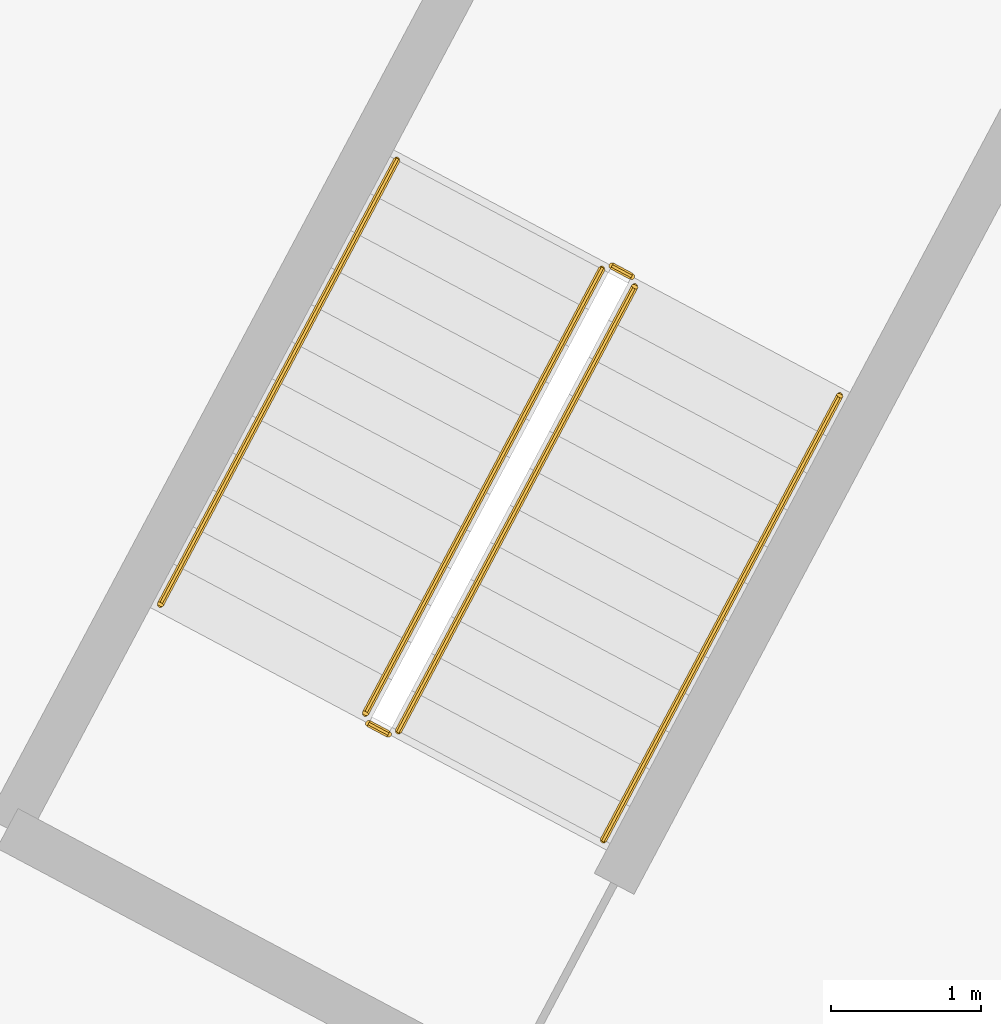
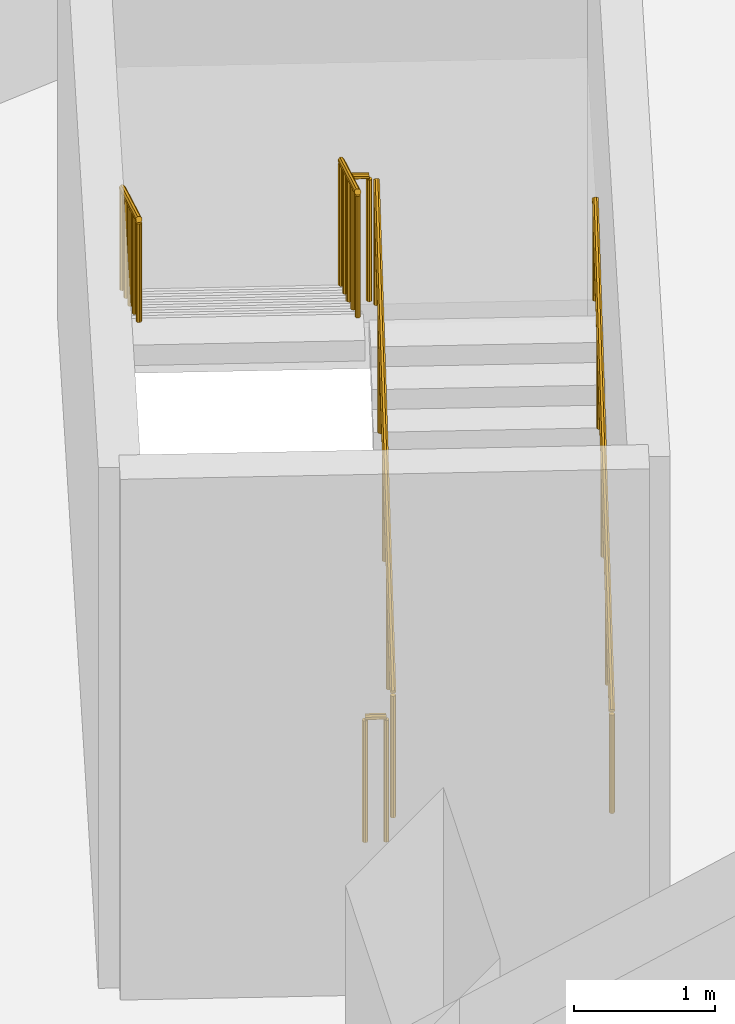
# One storey, part 24 of 27: 6 railings.
"""IFC4 building model written with IfcOpenShell, lengths in metres."""

from ifc_helpers import new_model, si_unit, direction, frame, origin, place, context, subcontext, project, spatial, polyline, outline, extrude, material, type_object, element, save


model = new_model("IFC4")

# Units and contexts
model_context = context("Model", 3, precision=1e-05, world=origin(), true_north=direction((0.0, 1.0)))
body_context = subcontext(model_context, "Body", "Model", "MODEL_VIEW")
ifc_project = project(units=[si_unit("LENGTHUNIT", "METRE"), si_unit("AREAUNIT", "SQUARE_METRE"), si_unit("VOLUMEUNIT", "CUBIC_METRE"), si_unit("PLANEANGLEUNIT", "RADIAN"), si_unit("MASSUNIT", "GRAM", prefix="KILO")], contexts=[model_context])

# Site, building, storey
site_placement = place(None, origin())
site = spatial("IfcSite", under=ifc_project, at=site_placement, CompositionType="ELEMENT")
building_placement = place(site_placement, origin())
building = spatial("IfcBuilding", under=site, at=building_placement, Name="Cormorant Relay Tower", CompositionType="ELEMENT")
storey_placement = place(building_placement, frame((0.0, 0.0, -4.5)))
storey = spatial("IfcBuildingStorey", under=building, at=storey_placement, Name="B1", CompositionType="ELEMENT", Elevation=-4.5)

# Railings
ifc_material_1 = material(Name="Steel ASTM A572 Grade 50 (Fy 345 MPa)", Category="steel")
railing_type_1 = type_object("IfcRailingType", Name="Stair guard 1100", PredefinedType="GUARDRAIL", material=ifc_material_1)
railing_1_placement = place(storey_placement, frame((-32.992919921875, 45.866455078125, 0.173095703125)))
element("IfcRailing", 1, at=railing_1_placement, inside=storey, type_object=railing_type_1, Name="B1 RN2 stair guard 1", PredefinedType="GUARDRAIL", context=body_context, shape_type="SweptSolid", body=[
    extrude(outline(polyline([(0.022216796875, 0.00927734375), (0.00927734375, 0.022216796875), (-0.00927734375, 0.022216796875), (-0.022216796875, 0.00927734375), (-0.022216796875, -0.00927734375), (-0.00927734375, -0.022216796875), (0.00927734375, -0.022216796875), (0.022216796875, -0.00927734375), (0.022216796875, 0.00927734375)])), frame((0.0, 0.0, 1.076171875), z_axis=(0.399344577991, 0.75103481925, 0.525804724497), x_axis=(-0.88294160794, 0.469482818608, 0.0)), (0.0, 0.0, 1.0), 3.949951171875),
    extrude(outline(polyline([(0.019287109375, 0.008056640625), (0.008056640625, 0.019287109375), (-0.008056640625, 0.019287109375), (-0.019287109375, 0.008056640625), (-0.019287109375, -0.008056640625), (-0.008056640625, -0.019287109375), (0.008056640625, -0.019287109375), (0.019287109375, -0.008056640625), (0.019287109375, 0.008056640625)])), origin(), (0.0, 0.0, 1.0), 1.052001953125),
    extrude(outline(polyline([(0.019287109375, 0.008056640625), (0.008056640625, 0.019287109375), (-0.008056640625, 0.019287109375), (-0.019287109375, 0.008056640625), (-0.019287109375, -0.008056640625), (-0.008056640625, -0.019287109375), (0.008056640625, -0.019287109375), (0.019287109375, -0.008056640625), (0.019287109375, 0.008056640625)])), frame((0.394287109375, 0.74169921875, 0.519287109375)), (0.0, 0.0, 1.0), 1.052001953125),
    extrude(outline(polyline([(0.019287109375, 0.008056640625), (0.008056640625, 0.019287109375), (-0.008056640625, 0.019287109375), (-0.019287109375, 0.008056640625), (-0.019287109375, -0.008056640625), (-0.008056640625, -0.019287109375), (0.008056640625, -0.019287109375), (0.019287109375, -0.008056640625), (0.019287109375, 0.008056640625)])), frame((0.78857421875, 1.4833984375, 1.03857421875)), (0.0, 0.0, 1.0), 1.052001953125),
    extrude(outline(polyline([(0.019287109375, 0.008056640625), (0.008056640625, 0.019287109375), (-0.008056640625, 0.019287109375), (-0.019287109375, 0.008056640625), (-0.019287109375, -0.008056640625), (-0.008056640625, -0.019287109375), (0.008056640625, -0.019287109375), (0.019287109375, -0.008056640625), (0.019287109375, 0.008056640625)])), frame((1.18310546875, 2.224853515625, 1.5576171875)), (0.0, 0.0, 1.0), 1.052001953125),
    extrude(outline(polyline([(0.019287109375, 0.008056640625), (0.008056640625, 0.019287109375), (-0.008056640625, 0.019287109375), (-0.019287109375, 0.008056640625), (-0.019287109375, -0.008056640625), (-0.008056640625, -0.019287109375), (0.008056640625, -0.019287109375), (0.019287109375, -0.008056640625), (0.019287109375, 0.008056640625)])), frame((1.577392578125, 2.966552734375, 2.076904296875)), (0.0, 0.0, 1.0), 1.052001953125),
])
railing_2_placement = place(storey_placement, frame((-31.43603515625, 48.900634765625, 2.25)))
element("IfcRailing", 2, at=railing_2_placement, inside=storey, type_object=railing_type_1, Name="B1 RN2 stair guard 2", PredefinedType="GUARDRAIL", context=body_context, shape_type="SweptSolid", body=[
    extrude(outline(polyline([(0.022216796875, 0.00927734375), (0.00927734375, 0.022216796875), (-0.00927734375, 0.022216796875), (-0.022216796875, 0.00927734375), (-0.022216796875, -0.00927734375), (-0.00927734375, -0.022216796875), (0.00927734375, -0.022216796875), (0.022216796875, -0.00927734375), (0.022216796875, 0.00927734375)])), frame((0.0, 0.0, 1.076171875), z_axis=(-0.882757634224, 0.469828648786, 0.0), x_axis=(-0.469828648786, -0.882757634224, 0.0)), (0.0, 0.0, 1.0), 0.150146484375),
    extrude(outline(polyline([(0.019287109375, 0.008056640625), (0.008056640625, 0.019287109375), (-0.008056640625, 0.019287109375), (-0.019287109375, 0.008056640625), (-0.019287109375, -0.008056640625), (-0.008056640625, -0.019287109375), (0.008056640625, -0.019287109375), (0.019287109375, -0.008056640625), (0.019287109375, 0.008056640625)])), origin(), (0.0, 0.0, 1.0), 1.052001953125),
    extrude(outline(polyline([(0.019287109375, 0.008056640625), (0.008056640625, 0.019287109375), (-0.008056640625, 0.019287109375), (-0.019287109375, 0.008056640625), (-0.019287109375, -0.008056640625), (-0.008056640625, -0.019287109375), (0.008056640625, -0.019287109375), (0.019287109375, -0.008056640625), (0.019287109375, 0.008056640625)])), frame((-0.132568359375, 0.070556640625, 0.0)), (0.0, 0.0, 1.0), 1.052001953125),
])
railing_3_placement = place(storey_placement, frame((-31.63623046875, 48.950439453125, 2.423095703125)))
element("IfcRailing", 3, at=railing_3_placement, inside=storey, type_object=railing_type_1, Name="B1 RN2 stair guard 3", PredefinedType="GUARDRAIL", context=body_context, shape_type="SweptSolid", body=[
    extrude(outline(polyline([(0.022216796875, 0.00927734375), (0.00927734375, 0.022216796875), (-0.00927734375, 0.022216796875), (-0.022216796875, 0.00927734375), (-0.022216796875, -0.00927734375), (-0.00927734375, -0.022216796875), (0.00927734375, -0.022216796875), (0.022216796875, -0.00927734375), (0.022216796875, 0.00927734375)])), frame((0.0, 0.0, 1.076171875), z_axis=(-0.399326040817, -0.751061762576, 0.525780317169), x_axis=(0.882957622595, -0.46945269911, 0.0)), (0.0, 0.0, 1.0), 3.9501953125),
    extrude(outline(polyline([(0.019287109375, 0.008056640625), (0.008056640625, 0.019287109375), (-0.008056640625, 0.019287109375), (-0.019287109375, 0.008056640625), (-0.019287109375, -0.008056640625), (-0.008056640625, -0.019287109375), (0.008056640625, -0.019287109375), (0.019287109375, -0.008056640625), (0.019287109375, 0.008056640625)])), origin(), (0.0, 0.0, 1.0), 1.052001953125),
    extrude(outline(polyline([(0.019287109375, 0.008056640625), (0.008056640625, 0.019287109375), (-0.008056640625, 0.019287109375), (-0.019287109375, 0.008056640625), (-0.019287109375, -0.008056640625), (-0.008056640625, -0.019287109375), (0.008056640625, -0.019287109375), (0.019287109375, -0.008056640625), (0.019287109375, 0.008056640625)])), frame((-0.394287109375, -0.74169921875, 0.519287109375)), (0.0, 0.0, 1.0), 1.052001953125),
    extrude(outline(polyline([(0.019287109375, 0.008056640625), (0.008056640625, 0.019287109375), (-0.008056640625, 0.019287109375), (-0.019287109375, 0.008056640625), (-0.019287109375, -0.008056640625), (-0.008056640625, -0.019287109375), (0.008056640625, -0.019287109375), (0.019287109375, -0.008056640625), (0.019287109375, 0.008056640625)])), frame((-0.78857421875, -1.4833984375, 1.03857421875)), (0.0, 0.0, 1.0), 1.052001953125),
    extrude(outline(polyline([(0.019287109375, 0.008056640625), (0.008056640625, 0.019287109375), (-0.008056640625, 0.019287109375), (-0.019287109375, 0.008056640625), (-0.019287109375, -0.008056640625), (-0.008056640625, -0.019287109375), (0.008056640625, -0.019287109375), (0.019287109375, -0.008056640625), (0.019287109375, 0.008056640625)])), frame((-1.18310546875, -2.22509765625, 1.5576171875)), (0.0, 0.0, 1.0), 1.052001953125),
    extrude(outline(polyline([(0.019287109375, 0.008056640625), (0.008056640625, 0.019287109375), (-0.008056640625, 0.019287109375), (-0.019287109375, 0.008056640625), (-0.019287109375, -0.008056640625), (-0.008056640625, -0.019287109375), (0.008056640625, -0.019287109375), (0.019287109375, -0.008056640625), (0.019287109375, 0.008056640625)])), frame((-1.577392578125, -2.966796875, 2.076904296875)), (0.0, 0.0, 1.0), 1.052001953125),
])
railing_4_placement = place(storey_placement, frame((-33.060546875, 45.845703125, 0.0)))
element("IfcRailing", 4, at=railing_4_placement, inside=storey, type_object=railing_type_1, Name="B1 RN2 stair guard 4", PredefinedType="GUARDRAIL", context=body_context, shape_type="SweptSolid", body=[
    extrude(outline(polyline([(0.022216796875, 0.00927734375), (0.00927734375, 0.022216796875), (-0.00927734375, 0.022216796875), (-0.022216796875, 0.00927734375), (-0.022216796875, -0.00927734375), (-0.00927734375, -0.022216796875), (0.00927734375, -0.022216796875), (0.022216796875, -0.00927734375), (0.022216796875, 0.00927734375)])), frame((0.0, 0.0, 1.076171875), z_axis=(-0.883073525669, 0.469234640946, 0.0), x_axis=(-0.469234640946, -0.883073525669, 0.0)), (0.0, 0.0, 1.0), 0.14990234375),
    extrude(outline(polyline([(0.019287109375, 0.008056640625), (0.008056640625, 0.019287109375), (-0.008056640625, 0.019287109375), (-0.019287109375, 0.008056640625), (-0.019287109375, -0.008056640625), (-0.008056640625, -0.019287109375), (0.008056640625, -0.019287109375), (0.019287109375, -0.008056640625), (0.019287109375, 0.008056640625)])), origin(), (0.0, 0.0, 1.0), 1.052001953125),
    extrude(outline(polyline([(0.019287109375, 0.008056640625), (0.008056640625, 0.019287109375), (-0.008056640625, 0.019287109375), (-0.019287109375, 0.008056640625), (-0.019287109375, -0.008056640625), (-0.008056640625, -0.019287109375), (0.008056640625, -0.019287109375), (0.019287109375, -0.008056640625), (0.019287109375, 0.008056640625)])), frame((-0.13232421875, 0.0703125, 0.0)), (0.0, 0.0, 1.0), 1.052001953125),
])
ifc_material_2 = material(Name="Steel ASTM A572 Grade 50 (Fy 345 MPa)", Category="steel")
railing_type_2 = type_object("IfcRailingType", Name="Stair handrail 900", PredefinedType="HANDRAIL", material=ifc_material_2)
railing_5_placement = place(storey_placement, frame((-31.624267578125, 45.138671875, 0.173095703125)))
element("IfcRailing", 5, at=railing_5_placement, inside=storey, type_object=railing_type_2, Name="B1 RN2 stair handrail 1", PredefinedType="HANDRAIL", context=body_context, shape_type="SweptSolid", body=[
    extrude(outline(polyline([(0.022216796875, 0.00927734375), (0.00927734375, 0.022216796875), (-0.00927734375, 0.022216796875), (-0.022216796875, 0.00927734375), (-0.022216796875, -0.00927734375), (-0.00927734375, -0.022216796875), (0.00927734375, -0.022216796875), (0.022216796875, -0.00927734375), (0.022216796875, 0.00927734375)])), frame((0.0, 0.0, 0.8759765625), z_axis=(0.399326040817, 0.751061762576, 0.525780317169), x_axis=(-0.882957622595, 0.46945269911, 0.0)), (0.0, 0.0, 1.0), 3.9501953125),
    extrude(outline(polyline([(0.019287109375, 0.008056640625), (0.008056640625, 0.019287109375), (-0.008056640625, 0.019287109375), (-0.019287109375, 0.008056640625), (-0.019287109375, -0.008056640625), (-0.008056640625, -0.019287109375), (0.008056640625, -0.019287109375), (0.019287109375, -0.008056640625), (0.019287109375, 0.008056640625)])), origin(), (0.0, 0.0, 1.0), 0.851806640625),
    extrude(outline(polyline([(0.019287109375, 0.008056640625), (0.008056640625, 0.019287109375), (-0.008056640625, 0.019287109375), (-0.019287109375, 0.008056640625), (-0.019287109375, -0.008056640625), (-0.008056640625, -0.019287109375), (0.008056640625, -0.019287109375), (0.019287109375, -0.008056640625), (0.019287109375, 0.008056640625)])), frame((0.394287109375, 0.74169921875, 0.519287109375)), (0.0, 0.0, 1.0), 0.851806640625),
    extrude(outline(polyline([(0.019287109375, 0.008056640625), (0.008056640625, 0.019287109375), (-0.008056640625, 0.019287109375), (-0.019287109375, 0.008056640625), (-0.019287109375, -0.008056640625), (-0.008056640625, -0.019287109375), (0.008056640625, -0.019287109375), (0.019287109375, -0.008056640625), (0.019287109375, 0.008056640625)])), frame((0.78857421875, 1.4833984375, 1.03857421875)), (0.0, 0.0, 1.0), 0.851806640625),
    extrude(outline(polyline([(0.019287109375, 0.008056640625), (0.008056640625, 0.019287109375), (-0.008056640625, 0.019287109375), (-0.019287109375, 0.008056640625), (-0.019287109375, -0.008056640625), (-0.008056640625, -0.019287109375), (0.008056640625, -0.019287109375), (0.019287109375, -0.008056640625), (0.019287109375, 0.008056640625)])), frame((1.18310546875, 2.22509765625, 1.5576171875)), (0.0, 0.0, 1.0), 0.851806640625),
    extrude(outline(polyline([(0.019287109375, 0.008056640625), (0.008056640625, 0.019287109375), (-0.008056640625, 0.019287109375), (-0.019287109375, 0.008056640625), (-0.019287109375, -0.008056640625), (-0.008056640625, -0.019287109375), (0.008056640625, -0.019287109375), (0.019287109375, -0.008056640625), (0.019287109375, 0.008056640625)])), frame((1.577392578125, 2.966796875, 2.076904296875)), (0.0, 0.0, 1.0), 0.851806640625),
])
railing_6_placement = place(storey_placement, frame((-33.0048828125, 49.67822265625, 2.423095703125)))
element("IfcRailing", 6, at=railing_6_placement, inside=storey, type_object=railing_type_2, Name="B1 RN2 stair handrail 2", PredefinedType="HANDRAIL", context=body_context, shape_type="SweptSolid", body=[
    extrude(outline(polyline([(0.022216796875, 0.00927734375), (0.00927734375, 0.022216796875), (-0.00927734375, 0.022216796875), (-0.022216796875, 0.00927734375), (-0.022216796875, -0.00927734375), (-0.00927734375, -0.022216796875), (0.00927734375, -0.022216796875), (0.022216796875, -0.00927734375), (0.022216796875, 0.00927734375)])), frame((0.0, 0.0, 0.8759765625), z_axis=(-0.399326040817, -0.751061762576, 0.525780317169), x_axis=(0.882957622595, -0.46945269911, 0.0)), (0.0, 0.0, 1.0), 3.9501953125),
    extrude(outline(polyline([(0.019287109375, 0.008056640625), (0.008056640625, 0.019287109375), (-0.008056640625, 0.019287109375), (-0.019287109375, 0.008056640625), (-0.019287109375, -0.008056640625), (-0.008056640625, -0.019287109375), (0.008056640625, -0.019287109375), (0.019287109375, -0.008056640625), (0.019287109375, 0.008056640625)])), origin(), (0.0, 0.0, 1.0), 0.851806640625),
    extrude(outline(polyline([(0.019287109375, 0.008056640625), (0.008056640625, 0.019287109375), (-0.008056640625, 0.019287109375), (-0.019287109375, 0.008056640625), (-0.019287109375, -0.008056640625), (-0.008056640625, -0.019287109375), (0.008056640625, -0.019287109375), (0.019287109375, -0.008056640625), (0.019287109375, 0.008056640625)])), frame((-0.394287109375, -0.74169921875, 0.519287109375)), (0.0, 0.0, 1.0), 0.851806640625),
    extrude(outline(polyline([(0.019287109375, 0.008056640625), (0.008056640625, 0.019287109375), (-0.008056640625, 0.019287109375), (-0.019287109375, 0.008056640625), (-0.019287109375, -0.008056640625), (-0.008056640625, -0.019287109375), (0.008056640625, -0.019287109375), (0.019287109375, -0.008056640625), (0.019287109375, 0.008056640625)])), frame((-0.78857421875, -1.4833984375, 1.03857421875)), (0.0, 0.0, 1.0), 0.851806640625),
    extrude(outline(polyline([(0.019287109375, 0.008056640625), (0.008056640625, 0.019287109375), (-0.008056640625, 0.019287109375), (-0.019287109375, 0.008056640625), (-0.019287109375, -0.008056640625), (-0.008056640625, -0.019287109375), (0.008056640625, -0.019287109375), (0.019287109375, -0.008056640625), (0.019287109375, 0.008056640625)])), frame((-1.18310546875, -2.22509765625, 1.5576171875)), (0.0, 0.0, 1.0), 0.851806640625),
    extrude(outline(polyline([(0.019287109375, 0.008056640625), (0.008056640625, 0.019287109375), (-0.008056640625, 0.019287109375), (-0.019287109375, 0.008056640625), (-0.019287109375, -0.008056640625), (-0.008056640625, -0.019287109375), (0.008056640625, -0.019287109375), (0.019287109375, -0.008056640625), (0.019287109375, 0.008056640625)])), frame((-1.577392578125, -2.966796875, 2.076904296875)), (0.0, 0.0, 1.0), 0.851806640625),
])

save(model, "model.ifc")
